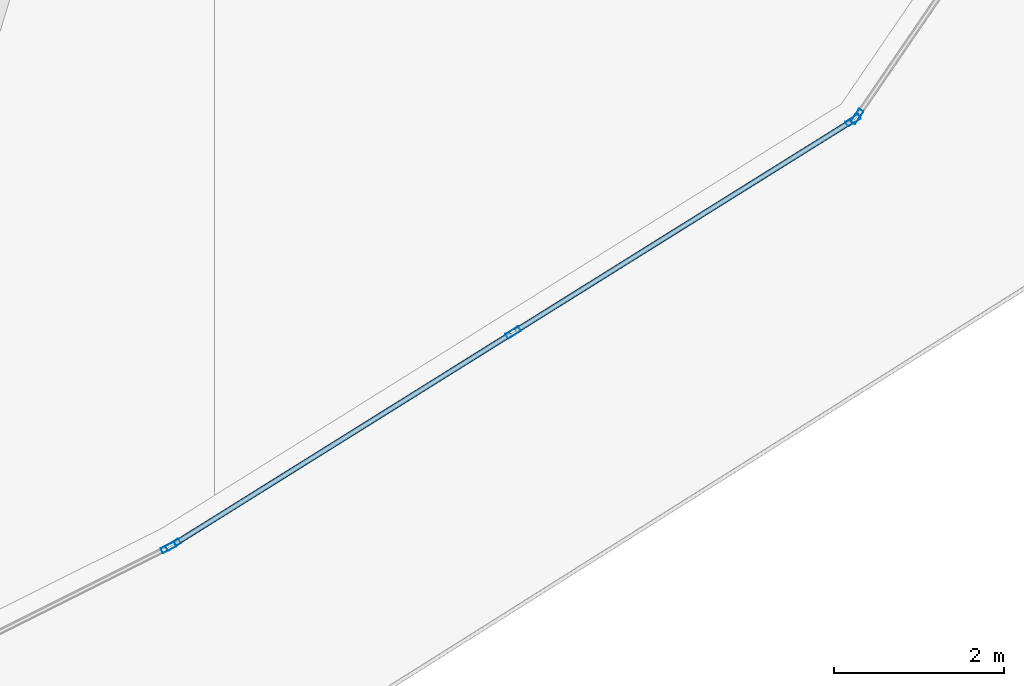
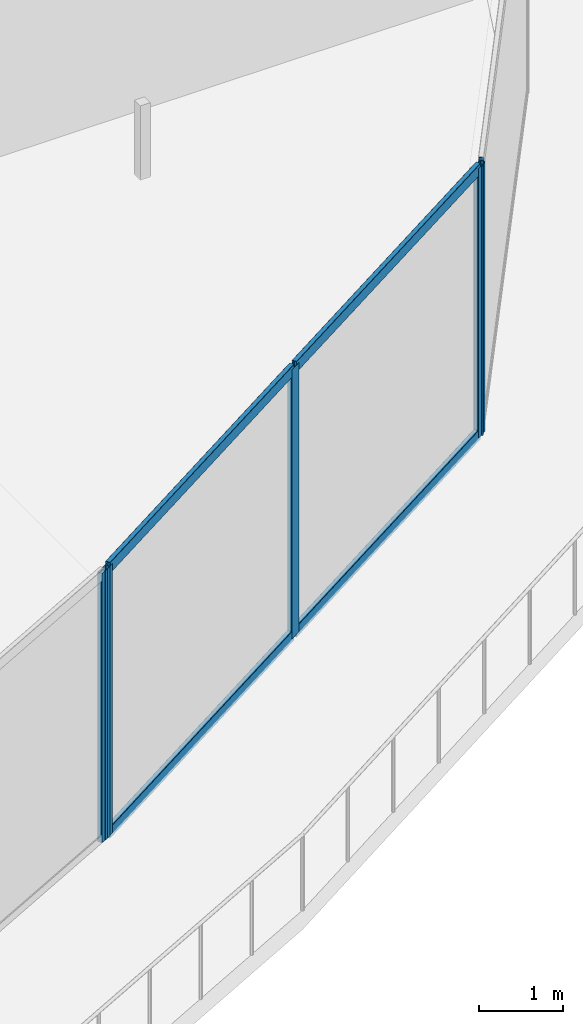
# One storey, part 9 of 45: 9 members, 3 elements without a shape of their own.
"""IFC4 building model written with IfcOpenShell, lengths in metres."""

from ifc_helpers import new_model, si_unit, direction, frame, origin, origin_2d, place, context, subcontext, project, spatial, hollow_rectangle, extrude, material, layer, layer_set, material_profile, profile_set, type_object, element, aggregate, save


model = new_model("IFC4")

# Units and contexts
model_context = context("Model", 3, precision=1e-05, world=origin(), true_north=direction((0.0, 1.0)))
body_context = subcontext(model_context, "Body", "Model", "MODEL_VIEW")
ifc_project = project(units=[si_unit("LENGTHUNIT", "METRE"), si_unit("AREAUNIT", "SQUARE_METRE"), si_unit("VOLUMEUNIT", "CUBIC_METRE"), si_unit("PLANEANGLEUNIT", "RADIAN"), si_unit("MASSUNIT", "GRAM", prefix="KILO")], contexts=[model_context])

# Site, building, storey
site_placement = place(None, origin())
site = spatial("IfcSite", under=ifc_project, at=site_placement, CompositionType="ELEMENT")
building_placement = place(site_placement, origin())
building = spatial("IfcBuilding", under=site, at=building_placement, Name="Qorvath Tower", CompositionType="ELEMENT")
storey_placement = place(building_placement, frame((0.0, 0.0, 95.39990234375)))
storey = spatial("IfcBuildingStorey", under=building, at=storey_placement, Name="L21", CompositionType="ELEMENT", Elevation=95.39990234375)

# Curtain wall, member
ifc_material_1 = material(Name="Anodised aluminium and triple low-E glass", Category="aluminium")
ifc_layer = layer(ifc_material_1, 0.179931640625)
ifc_layer_set = layer_set([ifc_layer], Name="CW-SYS-2")
curtain_wall_type = type_object("IfcCurtainWallType", Name="CW-SYS-2", PredefinedType="NOTDEFINED", material=ifc_layer_set)
curtain_wall_1_placement = place(storey_placement, origin())
curtain_wall_1 = element("IfcCurtainWall", 1, at=curtain_wall_1_placement, inside=storey, type_object=curtain_wall_type, Name="Curtain Wall CW-2 CW-T-L21-3.1", PredefinedType="NOTDEFINED")
ifc_material_2 = material(Name="Anodised aluminium 6063-T6", Category="aluminium")
ifc_material_profile_1 = material_profile(ifc_material_2, hollow_rectangle(XDim=0.06494140625, YDim=0.179931640625, WallThickness=0.00341796875, InnerFilletRadius=0.00341796875, OuterFilletRadius=0.007080078125, at=origin_2d()), Name="CWM 180x65")
ifc_profile_set_1 = profile_set([ifc_material_profile_1], Name="Anodised aluminium 6063-T6")
member_type_1 = type_object("IfcMemberType", Name="CWM-180", PredefinedType="MULLION", material=ifc_profile_set_1)
member_1_placement = place(storey_placement, frame((-10.95166015625, -29.4150390625, 0.0), z_axis=(0.0, 0.0, 1.0), x_axis=(-0.447245233408, 0.894411371347, 0.0)))
member_1 = element("IfcMember", 2, at=member_1_placement, type_object=member_type_1, Name="CW-2 mullion 2", PredefinedType="MULLION", context=body_context, shape_type="SweptSolid", body=[
    extrude(hollow_rectangle(XDim=0.06494140625, YDim=0.179931640625, WallThickness=0.00341796875, InnerFilletRadius=0.00341796875, OuterFilletRadius=0.007080078125, at=origin_2d()), origin(), (0.0, 0.0, 1.0), 3.900146484375),
])
aggregate(curtain_wall_1, [member_1])

# Curtain wall, members
curtain_wall_2_placement = place(storey_placement, origin())
curtain_wall_2 = element("IfcCurtainWall", 3, at=curtain_wall_2_placement, inside=storey, type_object=curtain_wall_type, Name="Curtain Wall CW-2 CW-T-L21-4.1", PredefinedType="NOTDEFINED")
member_2_placement = place(storey_placement, frame((-10.89501953125, -29.38330078125, 0.0), z_axis=(0.0, 0.0, 1.0), x_axis=(-0.529595857203, 0.848250097573, 0.0)))
member_2 = element("IfcMember", 4, at=member_2_placement, type_object=member_type_1, Name="CW-2 mullion 1", PredefinedType="MULLION", context=body_context, shape_type="SweptSolid", body=[
    extrude(hollow_rectangle(XDim=0.06494140625, YDim=0.179931640625, WallThickness=0.00341796875, InnerFilletRadius=0.00341796875, OuterFilletRadius=0.007080078125, at=origin_2d()), origin(), (0.0, 0.0, 1.0), 3.900146484375),
])
member_3_placement = place(storey_placement, frame((-6.90234375, -26.890625, 0.0), z_axis=(0.0, 0.0, 1.0), x_axis=(-0.529595857203, 0.848250097573, 0.0)))
member_3 = element("IfcMember", 5, at=member_3_placement, type_object=member_type_1, Name="CW-2 mullion 2", PredefinedType="MULLION", context=body_context, shape_type="SweptSolid", body=[
    extrude(hollow_rectangle(XDim=0.06494140625, YDim=0.179931640625, WallThickness=0.00341796875, InnerFilletRadius=0.00341796875, OuterFilletRadius=0.007080078125, at=origin_2d()), origin(), (0.0, 0.0, 1.0), 3.900146484375),
])
member_4_placement = place(storey_placement, frame((-2.90966796875, -24.397705078125, 0.0), z_axis=(0.0, 0.0, 1.0), x_axis=(-0.529595857203, 0.848250097573, 0.0)))
member_4 = element("IfcMember", 6, at=member_4_placement, type_object=member_type_1, Name="CW-2 mullion 3", PredefinedType="MULLION", context=body_context, shape_type="SweptSolid", body=[
    extrude(hollow_rectangle(XDim=0.06494140625, YDim=0.179931640625, WallThickness=0.00341796875, InnerFilletRadius=0.00341796875, OuterFilletRadius=0.007080078125, at=origin_2d()), origin(), (0.0, 0.0, 1.0), 3.900146484375),
])

# Curtain wall, member
curtain_wall_3_placement = place(storey_placement, origin())
curtain_wall_3 = element("IfcCurtainWall", 7, at=curtain_wall_3_placement, inside=storey, type_object=curtain_wall_type, Name="Curtain Wall CW-2 CW-T-L21-5.1", PredefinedType="NOTDEFINED")
member_5_placement = place(storey_placement, frame((-2.86376953125, -24.353759765625, 0.0), z_axis=(0.0, 0.0, 1.0), x_axis=(-0.825732659314, 0.564061676895, 0.0)))
member_5 = element("IfcMember", 8, at=member_5_placement, type_object=member_type_1, Name="CW-2 mullion 1", PredefinedType="MULLION", context=body_context, shape_type="SweptSolid", body=[
    extrude(hollow_rectangle(XDim=0.06494140625, YDim=0.179931640625, WallThickness=0.00341796875, InnerFilletRadius=0.00341796875, OuterFilletRadius=0.007080078125, at=origin_2d()), origin(), (0.0, 0.0, 1.0), 3.900146484375),
])
aggregate(curtain_wall_3, [member_5])

# Member
ifc_material_3 = material(Name="Anodised aluminium 6063-T6", Category="aluminium")
ifc_material_profile_2 = material_profile(ifc_material_3, hollow_rectangle(XDim=0.06494140625, YDim=0.159912109375, WallThickness=0.00341796875, InnerFilletRadius=0.00341796875, OuterFilletRadius=0.007080078125, at=origin_2d()), Name="CWT 160x65")
ifc_profile_set_2 = profile_set([ifc_material_profile_2], Name="Anodised aluminium 6063-T6")
member_type_2 = type_object("IfcMemberType", Name="CWT-160", PredefinedType="USERDEFINED", material=ifc_profile_set_2)
member_6_placement = place(storey_placement, frame((-10.867431640625, -29.3662109375, 0.032470703125), z_axis=(0.848234596795, 0.529620683887, 0.0), x_axis=(-0.529620683887, 0.848234596795, 0.0)))
member_6 = element("IfcMember", 9, at=member_6_placement, type_object=member_type_2, Name="CW-2 transom 1.1", ObjectType="TRANSOM", PredefinedType="USERDEFINED", context=body_context, shape_type="SweptSolid", body=[
    extrude(hollow_rectangle(XDim=0.06494140625, YDim=0.159912109375, WallThickness=0.00341796875, InnerFilletRadius=0.00341796875, OuterFilletRadius=0.007080078125, at=origin_2d()), origin(), (0.0, 0.0, 1.0), 4.64208984375),
])

member_7_placement = place(storey_placement, frame((-10.867431640625, -29.3662109375, 3.86767578125), z_axis=(0.848234596795, 0.529620683887, 0.0), x_axis=(-0.529620683887, 0.848234596795, 0.0)))
member_7 = element("IfcMember", 10, at=member_7_placement, type_object=member_type_2, Name="CW-2 transom 1.2", ObjectType="TRANSOM", PredefinedType="USERDEFINED", context=body_context, shape_type="SweptSolid", body=[
    extrude(hollow_rectangle(XDim=0.06494140625, YDim=0.159912109375, WallThickness=0.00341796875, InnerFilletRadius=0.00341796875, OuterFilletRadius=0.007080078125, at=origin_2d()), origin(), (0.0, 0.0, 1.0), 4.64208984375),
])

member_8_placement = place(storey_placement, frame((-6.874755859375, -26.873291015625, 0.032470703125), z_axis=(0.848258224033, 0.529582840885, 0.0), x_axis=(-0.529582840885, 0.848258224033, 0.0)))
member_8 = element("IfcMember", 11, at=member_8_placement, type_object=member_type_2, Name="CW-2 transom 2.1", ObjectType="TRANSOM", PredefinedType="USERDEFINED", context=body_context, shape_type="SweptSolid", body=[
    extrude(hollow_rectangle(XDim=0.06494140625, YDim=0.159912109375, WallThickness=0.00341796875, InnerFilletRadius=0.00341796875, OuterFilletRadius=0.007080078125, at=origin_2d()), origin(), (0.0, 0.0, 1.0), 4.641845703125),
])

member_9_placement = place(storey_placement, frame((-6.874755859375, -26.873291015625, 3.86767578125), z_axis=(0.848258224033, 0.529582840885, 0.0), x_axis=(-0.529582840885, 0.848258224033, 0.0)))
member_9 = element("IfcMember", 12, at=member_9_placement, type_object=member_type_2, Name="CW-2 transom 2.2", ObjectType="TRANSOM", PredefinedType="USERDEFINED", context=body_context, shape_type="SweptSolid", body=[
    extrude(hollow_rectangle(XDim=0.06494140625, YDim=0.159912109375, WallThickness=0.00341796875, InnerFilletRadius=0.00341796875, OuterFilletRadius=0.007080078125, at=origin_2d()), origin(), (0.0, 0.0, 1.0), 4.641845703125),
])

aggregate(curtain_wall_2, [member_2, member_3, member_4, member_6, member_7, member_8, member_9])

save(model, "model.ifc")
